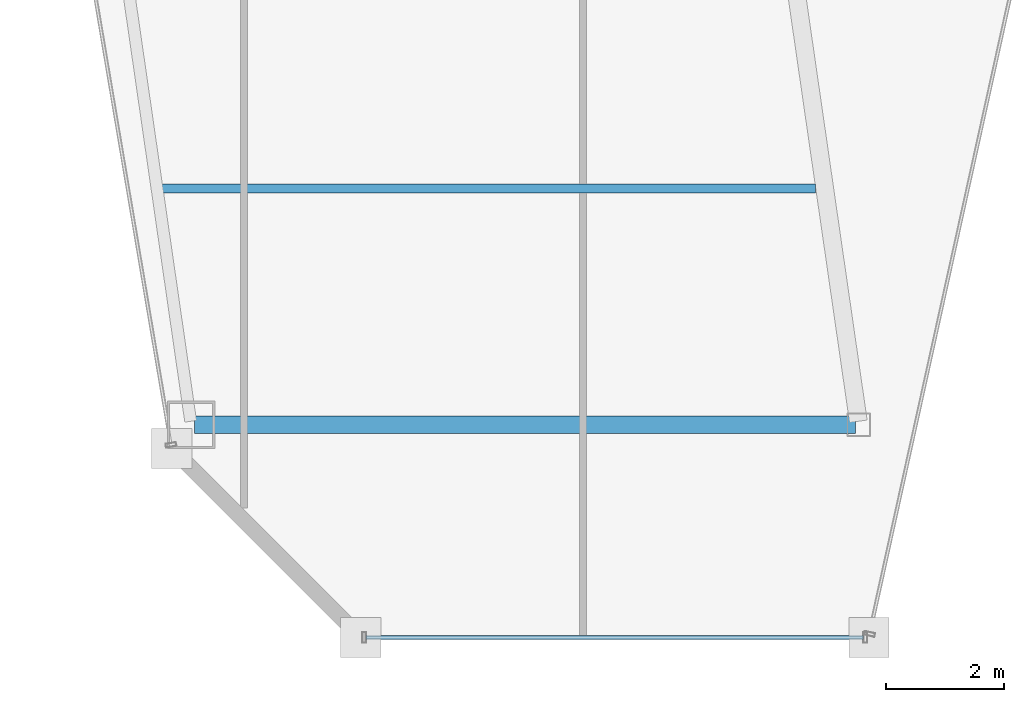
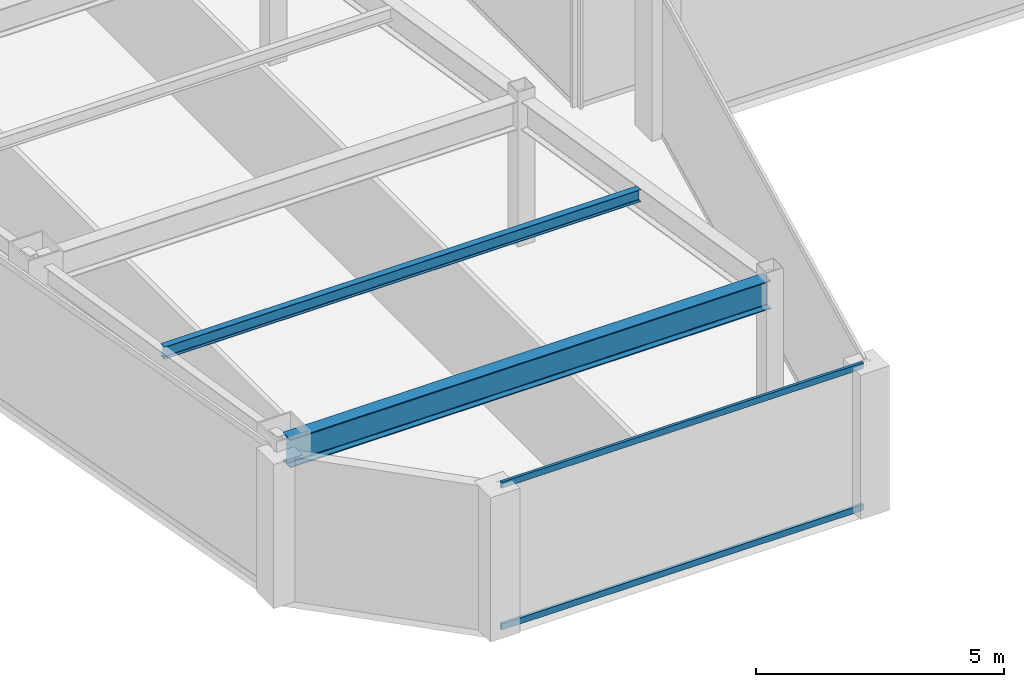
# One storey, part 4 of 36: 2 beams, 2 members, 1 element without a shape of its own.
"""IFC4 building model written with IfcOpenShell, lengths in metres."""

from ifc_helpers import new_model, si_unit, direction, frame, origin, origin_2d, place, context, subcontext, project, spatial, hollow_rectangle, i_section, extrude, material, material_profile, profile_set, type_object, element, aggregate, save


model = new_model("IFC4")

# Units and contexts
model_context = context("Model", 3, precision=1e-05, world=origin(), true_north=direction((0.0, 1.0)))
body_context = subcontext(model_context, "Body", "Model", "MODEL_VIEW")
ifc_project = project(units=[si_unit("LENGTHUNIT", "METRE"), si_unit("AREAUNIT", "SQUARE_METRE"), si_unit("VOLUMEUNIT", "CUBIC_METRE"), si_unit("PLANEANGLEUNIT", "RADIAN"), si_unit("MASSUNIT", "GRAM", prefix="KILO")], contexts=[model_context])

# Site, building, storey
site_placement = place(None, origin())
site = spatial("IfcSite", under=ifc_project, at=site_placement, CompositionType="ELEMENT")
building_placement = place(site_placement, origin())
building = spatial("IfcBuilding", under=site, at=building_placement, Name="Saevonmaru Cultural Tower", CompositionType="ELEMENT")
storey_placement = place(building_placement, frame((0.0, 0.0, 201.800048828125)))
storey = spatial("IfcBuildingStorey", under=building, at=storey_placement, Name="L46", CompositionType="ELEMENT", Elevation=201.800048828125)

# Beams
ifc_material_1 = material(Name="Steel SM355", Category="steel")
ifc_material_profile_1 = material_profile(ifc_material_1, i_section(OverallWidth=0.300048828125, OverallDepth=0.699951171875, WebThickness=0.012939453125, FlangeThickness=0.02392578125, FilletRadius=0.02587890625, at=origin_2d()), Name="H-700x300x13x24")
ifc_profile_set_1 = profile_set([ifc_material_profile_1], Name="Steel SM355")
beam_type_1 = type_object("IfcBeamType", Name="BM-G-H700", PredefinedType="BEAM", material=ifc_profile_set_1)
beam_1_placement = place(storey_placement, frame((10.68798828125, 16.0, 3.199951171875), z_axis=(1.0, 0.0, 0.0), x_axis=(0.0, 1.0, 0.0)))
element("IfcBeam", 1, at=beam_1_placement, inside=storey, type_object=beam_type_1, Name="L46 West Wing Transverse Girder 1", PredefinedType="BEAM", context=body_context, shape_type="SweptSolid", body=[
    extrude(i_section(OverallWidth=0.300048828125, OverallDepth=0.699951171875, WebThickness=0.012939453125, FlangeThickness=0.02392578125, FilletRadius=0.02587890625, at=origin_2d()), origin(), (0.0, 0.0, 1.0), 11.179931640625),
])
ifc_material_profile_2 = material_profile(ifc_material_1, i_section(OverallWidth=0.14990234375, OverallDepth=0.300048828125, WebThickness=0.006591796875, FlangeThickness=0.009033203125, FilletRadius=0.012939453125, at=origin_2d()), Name="H-300x150x6.5x9")
ifc_profile_set_2 = profile_set([ifc_material_profile_2], Name="Steel SM355")
beam_type_2 = type_object("IfcBeamType", Name="BM-J-H300", PredefinedType="JOIST", material=ifc_profile_set_2)
beam_2_placement = place(storey_placement, frame((10.110107421875, 20.0, 3.39990234375), z_axis=(1.0, 0.0, 0.0), x_axis=(0.0, 1.0, 0.0)))
element("IfcBeam", 2, at=beam_2_placement, inside=storey, type_object=beam_type_2, Name="L46 West Wing Floor Joist 1", PredefinedType="JOIST", context=body_context, shape_type="SweptSolid", body=[
    extrude(i_section(OverallWidth=0.14990234375, OverallDepth=0.300048828125, WebThickness=0.006591796875, FlangeThickness=0.009033203125, FilletRadius=0.012939453125, at=origin_2d()), origin(), (0.0, 0.0, 1.0), 11.081787109375),
])

# Curtain wall, members
ifc_material_2 = material(Name="Satin Bronze Anodised Aluminium", Category="aluminium")
curtain_wall_type = type_object("IfcCurtainWallType", Name="CW-TYP-B", PredefinedType="NOTDEFINED", material=ifc_material_2)
curtain_wall_placement = place(storey_placement, origin())
curtain_wall = element("IfcCurtainWall", 3, at=curtain_wall_placement, inside=storey, type_object=curtain_wall_type, Name="L46 Unitised Curtain Wall E2", PredefinedType="NOTDEFINED")
ifc_material_profile_3 = material_profile(ifc_material_2, hollow_rectangle(XDim=0.06494140625, YDim=0.14990234375, WallThickness=0.00390625, at=origin_2d()), Name="ALU-TRAN-150x65x4")
ifc_profile_set_3 = profile_set([ifc_material_profile_3], Name="Satin Bronze Anodised Aluminium")
member_type = type_object("IfcMemberType", Name="TR-CW-150x65", PredefinedType="USERDEFINED", material=ifc_profile_set_3)
member_1_placement = place(storey_placement, frame((13.59033203125, 12.39990234375, 0.032470703125), z_axis=(1.0, 0.0, 0.0), x_axis=(0.0, 1.0, 0.0)))
member_1 = element("IfcMember", 4, at=member_1_placement, type_object=member_type, Name="CW-TW-L46-E2 transom 1.1", ObjectType="TRANSOM", PredefinedType="USERDEFINED", context=body_context, shape_type="SweptSolid", body=[
    extrude(hollow_rectangle(XDim=0.06494140625, YDim=0.14990234375, WallThickness=0.00390625, at=origin_2d()), origin(), (0.0, 0.0, 1.0), 8.4150390625),
])
member_2_placement = place(storey_placement, frame((13.59033203125, 12.39990234375, 3.517333984375), z_axis=(1.0, 0.0, 0.0), x_axis=(0.0, 1.0, 0.0)))
member_2 = element("IfcMember", 5, at=member_2_placement, type_object=member_type, Name="CW-TW-L46-E2 transom 1.2", ObjectType="TRANSOM", PredefinedType="USERDEFINED", context=body_context, shape_type="SweptSolid", body=[
    extrude(hollow_rectangle(XDim=0.06494140625, YDim=0.14990234375, WallThickness=0.00390625, at=origin_2d()), origin(), (0.0, 0.0, 1.0), 8.4150390625),
])
aggregate(curtain_wall, [member_1, member_2])

save(model, "model.ifc")
